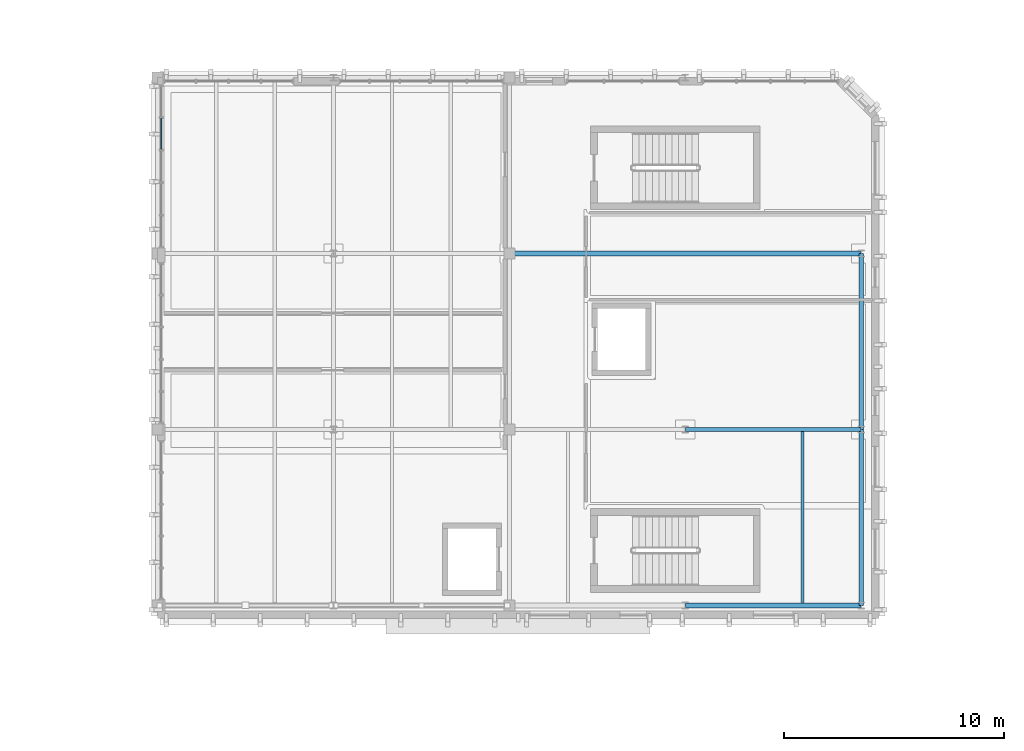
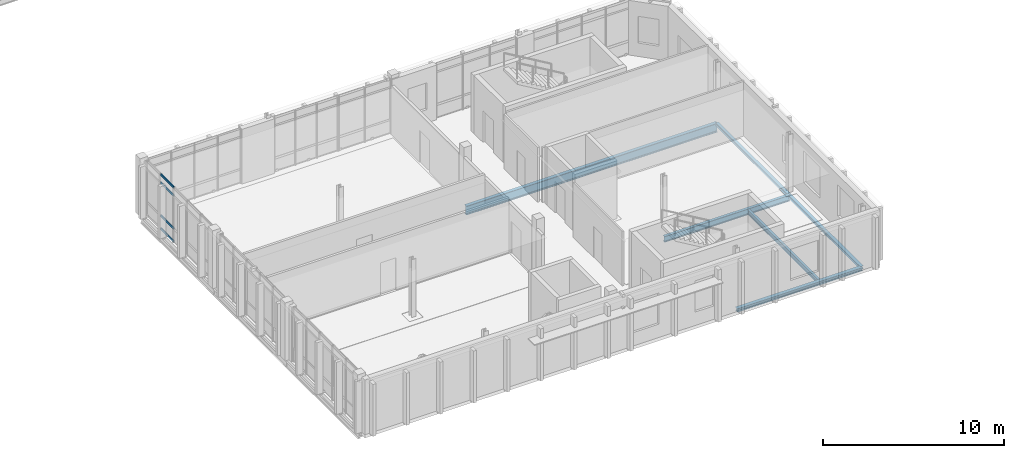
# One storey, part 9 of 40: 6 beams, 4 members, 1 element without a shape of its own.
"""IFC4 building model written with IfcOpenShell, lengths in metres."""

from ifc_helpers import new_model, si_unit, direction, frame, origin, origin_2d, place, context, subcontext, project, spatial, rectangle, i_section, extrude, material, material_profile, profile_set, type_object, element, aggregate, save


model = new_model("IFC4")

# Units and contexts
model_context = context("Model", 3, precision=1e-05, world=origin(), true_north=direction((0.0, 1.0)))
body_context = subcontext(model_context, "Body", "Model", "MODEL_VIEW")
ifc_project = project(units=[si_unit("LENGTHUNIT", "METRE"), si_unit("AREAUNIT", "SQUARE_METRE"), si_unit("VOLUMEUNIT", "CUBIC_METRE"), si_unit("PLANEANGLEUNIT", "RADIAN"), si_unit("MASSUNIT", "GRAM", prefix="KILO")], contexts=[model_context])

# Site, building, storey
site_placement = place(None, origin())
site = spatial("IfcSite", under=ifc_project, at=site_placement, CompositionType="ELEMENT")
building_placement = place(site_placement, origin())
building = spatial("IfcBuilding", under=site, at=building_placement, Name="Cymarion Research Institute", CompositionType="ELEMENT")
storey_placement = place(building_placement, frame((0.0, 0.0, 26.699951171875)))
storey = spatial("IfcBuildingStorey", under=building, at=storey_placement, Name="L06", CompositionType="ELEMENT", Elevation=26.699951171875)

# Curtain wall, members
ifc_material_1 = material(Name="Anodised aluminium unitised curtain wall with Low-E glazing", Category="aluminium")
curtain_wall_type = type_object("IfcCurtainWallType", Name="UNITISED CURTAIN WALL CW61 7420X3680", PredefinedType="NOTDEFINED", material=ifc_material_1)
curtain_wall_placement = place(storey_placement, origin())
curtain_wall = element("IfcCurtainWall", 1, at=curtain_wall_placement, inside=storey, type_object=curtain_wall_type, Name="L06 V4 unitised curtain wall CW61 #222", PredefinedType="NOTDEFINED")
ifc_material_2 = material(Name="Anodised aluminium framing", Category="aluminium")
ifc_material_profile_1 = material_profile(ifc_material_2, rectangle(XDim=0.06005859375, YDim=0.14990234375, at=origin_2d()), Name="ALU TRANSOM 60x150")
ifc_profile_set_1 = profile_set([ifc_material_profile_1], Name="Anodised aluminium framing")
member_type = type_object("IfcMemberType", Name="CURTAIN WALL TRANSOM TR01 60X150", PredefinedType="USERDEFINED", material=ifc_profile_set_1)
member_1_placement = place(storey_placement, frame((14.77001953125, 69.664306640625, 0.030029296875), z_axis=(0.0, -1.0, 0.0), x_axis=(1.0, 0.0, 0.0)))
member_1 = element("IfcMember", 2, at=member_1_placement, type_object=member_type, Name="CW61 transom 2.1", ObjectType="TRANSOM", PredefinedType="USERDEFINED", context=body_context, shape_type="SweptSolid", body=[
    extrude(rectangle(XDim=0.06005859375, YDim=0.14990234375, at=origin_2d()), origin(), (0.0, 0.0, 1.0), 1.423583984375),
])
member_2_placement = place(storey_placement, frame((14.77001953125, 69.664306640625, 0.900146484375), z_axis=(0.0, -1.0, 0.0), x_axis=(1.0, 0.0, 0.0)))
member_2 = element("IfcMember", 3, at=member_2_placement, type_object=member_type, Name="CW61 transom 2.2", ObjectType="TRANSOM", PredefinedType="USERDEFINED", context=body_context, shape_type="SweptSolid", body=[
    extrude(rectangle(XDim=0.06005859375, YDim=0.14990234375, at=origin_2d()), origin(), (0.0, 0.0, 1.0), 1.423583984375),
])
member_3_placement = place(storey_placement, frame((14.77001953125, 69.664306640625, 3.130126953125), z_axis=(0.0, -1.0, 0.0), x_axis=(1.0, 0.0, 0.0)))
member_3 = element("IfcMember", 4, at=member_3_placement, type_object=member_type, Name="CW61 transom 2.3", ObjectType="TRANSOM", PredefinedType="USERDEFINED", context=body_context, shape_type="SweptSolid", body=[
    extrude(rectangle(XDim=0.06005859375, YDim=0.14990234375, at=origin_2d()), origin(), (0.0, 0.0, 1.0), 1.423583984375),
])
member_4_placement = place(storey_placement, frame((14.77001953125, 69.664306640625, 3.650146484375), z_axis=(0.0, -1.0, 0.0), x_axis=(1.0, 0.0, 0.0)))
member_4 = element("IfcMember", 5, at=member_4_placement, type_object=member_type, Name="CW61 transom 2.4", ObjectType="TRANSOM", PredefinedType="USERDEFINED", context=body_context, shape_type="SweptSolid", body=[
    extrude(rectangle(XDim=0.06005859375, YDim=0.14990234375, at=origin_2d()), origin(), (0.0, 0.0, 1.0), 1.423583984375),
])
aggregate(curtain_wall, [member_1, member_2, member_3, member_4])

# Beams
ifc_material_3 = material(Name="Steel S355", Category="steel")
ifc_material_profile_2 = material_profile(ifc_material_3, i_section(OverallWidth=0.219970703125, OverallDepth=0.60009765625, WebThickness=0.011962890625, FlangeThickness=0.01904296875, FilletRadius=0.02392578125, at=origin_2d()), Name="IPE 600")
ifc_profile_set_2 = profile_set([ifc_material_profile_2], Name="Steel S355")
beam_type_1 = type_object("IfcBeamType", Name="PRIMARY GIRDER BM01 IPE 600", PredefinedType="BEAM", material=ifc_profile_set_2)
beam_1_placement = place(storey_placement, frame((30.60595703125, 63.5, -0.52001953125), z_axis=(1.0, 0.0, 0.0), x_axis=(0.0, 1.0, 0.0)))
element("IfcBeam", 6, at=beam_1_placement, inside=storey, type_object=beam_type_1, Name="L06 V4 girder BM01 #2108", PredefinedType="BEAM", context=body_context, shape_type="SweptSolid", body=[
    extrude(i_section(OverallWidth=0.219970703125, OverallDepth=0.60009765625, WebThickness=0.011962890625, FlangeThickness=0.01904296875, FilletRadius=0.02392578125, at=origin_2d()), origin(), (0.0, 0.0, 1.0), 15.988037109375),
])
ifc_material_profile_3 = material_profile(ifc_material_3, i_section(OverallWidth=0.179931640625, OverallDepth=0.39990234375, WebThickness=0.008544921875, FlangeThickness=0.013427734375, FilletRadius=0.02099609375, at=origin_2d()), Name="IPE 400")
ifc_profile_set_3 = profile_set([ifc_material_profile_3], Name="Steel S355")
beam_type_2 = type_object("IfcBeamType", Name="PRIMARY GIRDER BM05 IPE 400", PredefinedType="BEAM", material=ifc_profile_set_3)
beam_2_placement = place(storey_placement, frame((38.60595703125, 55.5, -0.419921875), z_axis=(1.0, 0.0, 0.0), x_axis=(0.0, 1.0, 0.0)))
element("IfcBeam", 7, at=beam_2_placement, inside=storey, type_object=beam_type_2, Name="L06 V4 girder BM05 #2105", PredefinedType="BEAM", context=body_context, shape_type="SweptSolid", body=[
    extrude(i_section(OverallWidth=0.179931640625, OverallDepth=0.39990234375, WebThickness=0.008544921875, FlangeThickness=0.013427734375, FilletRadius=0.02099609375, at=origin_2d()), origin(), (0.0, 0.0, 1.0), 7.988037109375),
])
ifc_material_profile_4 = material_profile(ifc_material_3, i_section(OverallWidth=0.14990234375, OverallDepth=0.300048828125, WebThickness=0.007080078125, FlangeThickness=0.0107421875, FilletRadius=0.014892578125, at=origin_2d()), Name="IPE 300")
ifc_profile_set_4 = profile_set([ifc_material_profile_4], Name="Steel S355")
beam_type_3 = type_object("IfcBeamType", Name="SECONDARY JOIST JS02 IPE 300", PredefinedType="JOIST", material=ifc_profile_set_4)
beam_3_placement = place(storey_placement, frame((43.933349609375, 47.6240234375, -0.369873046875), z_axis=(0.0, 1.0, 0.0), x_axis=(-1.0, 0.0, 0.0)))
element("IfcBeam", 8, at=beam_3_placement, inside=storey, type_object=beam_type_3, Name="L06 V4 secondary joist JS02 #2127", PredefinedType="JOIST", context=body_context, shape_type="SweptSolid", body=[
    extrude(i_section(OverallWidth=0.14990234375, OverallDepth=0.300048828125, WebThickness=0.007080078125, FlangeThickness=0.0107421875, FilletRadius=0.014892578125, at=origin_2d()), origin(), (0.0, 0.0, 1.0), 7.781982421875),
])
ifc_material_profile_5 = material_profile(ifc_material_3, i_section(OverallWidth=0.239990234375, OverallDepth=0.22998046875, WebThickness=0.007568359375, FlangeThickness=0.011962890625, FilletRadius=0.02099609375, at=origin_2d()), Name="HEA 240")
ifc_profile_set_5 = profile_set([ifc_material_profile_5], Name="Steel S355")
beam_type_4 = type_object("IfcBeamType", Name="SPANDREL BEAM SPB03 HEA 240", PredefinedType="SPANDREL", material=ifc_profile_set_5)
beam_4_placement = place(storey_placement, frame((38.60595703125, 47.5, -0.3349609375), z_axis=(1.0, 0.0, 0.0), x_axis=(0.0, 1.0, 0.0)))
element("IfcBeam", 9, at=beam_4_placement, inside=storey, type_object=beam_type_4, Name="L06 V4 girder SPB03 #2101", PredefinedType="SPANDREL", context=body_context, shape_type="SweptSolid", body=[
    extrude(i_section(OverallWidth=0.239990234375, OverallDepth=0.22998046875, WebThickness=0.007568359375, FlangeThickness=0.011962890625, FilletRadius=0.02099609375, at=origin_2d()), origin(), (0.0, 0.0, 1.0), 7.988037109375),
])
ifc_material_profile_6 = material_profile(ifc_material_3, i_section(OverallWidth=0.199951171875, OverallDepth=0.18994140625, WebThickness=0.006591796875, FlangeThickness=0.010009765625, FilletRadius=0.01806640625, at=origin_2d()), Name="HEA 200")
ifc_profile_set_6 = profile_set([ifc_material_profile_6], Name="Steel S355")
beam_type_5 = type_object("IfcBeamType", Name="SPANDREL BEAM SPB04 HEA 200", PredefinedType="SPANDREL", material=ifc_profile_set_6)
for number, where, z_axis, x_axis, name in (
    (10, (46.60009765625, 47.506103515625, -0.31494140625), (0.0, 1.0, 0.0), (-1.0, 0.0, 0.0), "L06 V4 girder SPB04 #2121"),
    (11, (46.60009765625, 55.506103515625, -0.31494140625), (0.0, 1.0, 0.0), (-1.0, 0.0, 0.0), "L06 V4 girder SPB04 #2122"),
):
    element("IfcBeam", number, at=place(storey_placement, frame(where, z_axis=z_axis, x_axis=x_axis)), inside=storey, type_object=beam_type_5, Name=name, PredefinedType="SPANDREL", context=body_context, shape_type="SweptSolid", body=[
        extrude(i_section(OverallWidth=0.199951171875, OverallDepth=0.18994140625, WebThickness=0.006591796875, FlangeThickness=0.010009765625, FilletRadius=0.01806640625, at=origin_2d()), origin(), (0.0, 0.0, 1.0), 7.98779296875),
    ])

save(model, "model.ifc")
